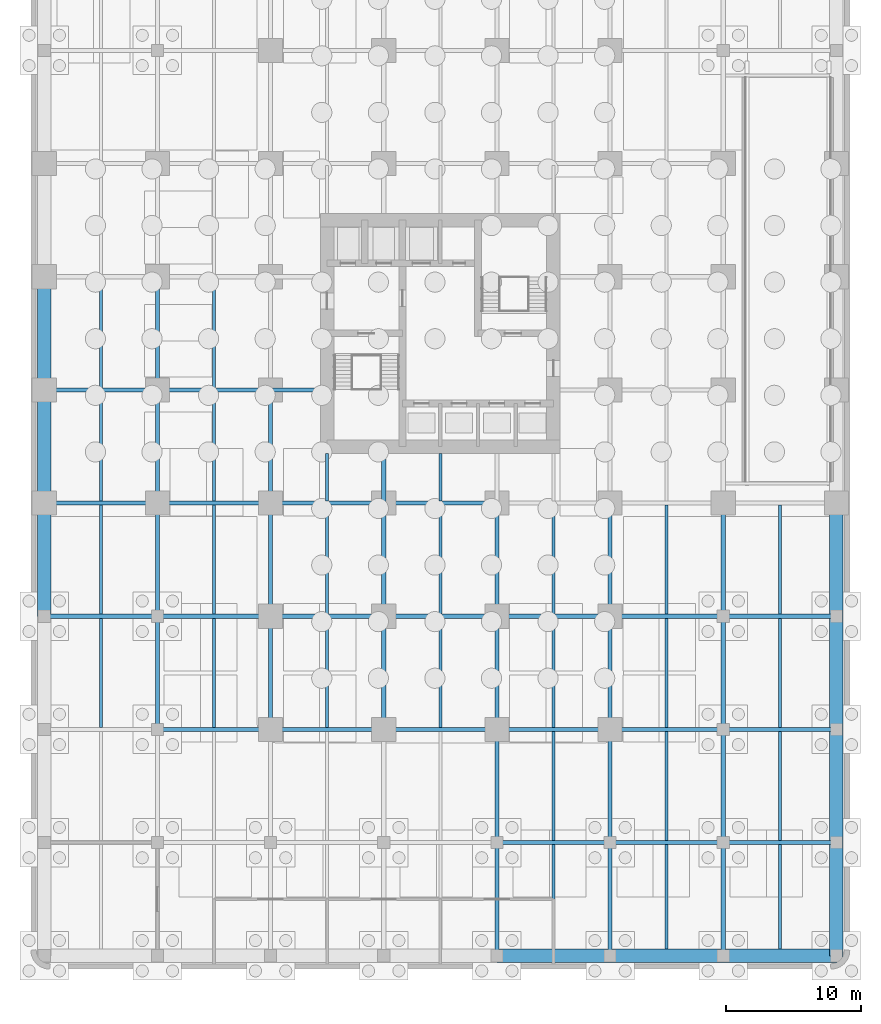
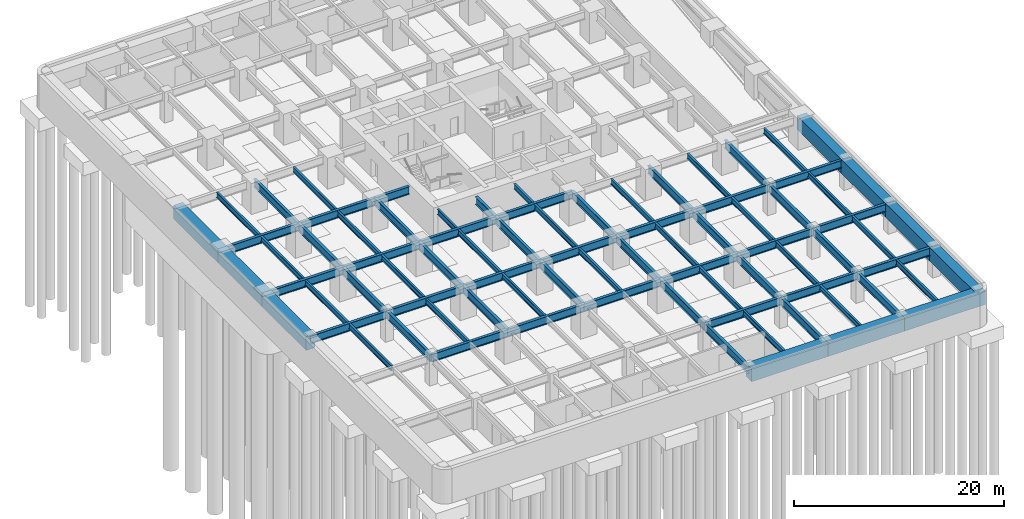
# One storey, part 3 of 11: 81 beams.
"""IFC4 building model written with IfcOpenShell, lengths in metres."""

from ifc_helpers import new_model, si_unit, direction, frame, origin, origin_2d, place, context, subcontext, project, spatial, rectangle, i_section, extrude, material, material_profile, profile_set, type_object, element, save


model = new_model("IFC4")

# Units and contexts
model_context = context("Model", 3, precision=1e-05, world=origin(), true_north=direction((0.0, 1.0)))
body_context = subcontext(model_context, "Body", "Model", "MODEL_VIEW")
ifc_project = project(units=[si_unit("LENGTHUNIT", "METRE"), si_unit("AREAUNIT", "SQUARE_METRE"), si_unit("VOLUMEUNIT", "CUBIC_METRE"), si_unit("PLANEANGLEUNIT", "RADIAN"), si_unit("MASSUNIT", "GRAM", prefix="KILO")], contexts=[model_context])

# Site, building, storey
site_placement = place(None, origin())
site = spatial("IfcSite", under=ifc_project, at=site_placement, CompositionType="ELEMENT")
building_placement = place(site_placement, origin())
building = spatial("IfcBuilding", under=site, at=building_placement, Name="Torre Alcanfor", CompositionType="ELEMENT")
storey_placement = place(building_placement, frame((0.0, 0.0, -7.199951171875)))
storey = spatial("IfcBuildingStorey", under=building, at=storey_placement, Name="B2", CompositionType="ELEMENT", Elevation=-7.199951171875)

# Beams
ifc_material_1 = material(Name="Steel ASTM A992 Grade 50", Category="steel")
ifc_material_profile_1 = material_profile(ifc_material_1, i_section(OverallWidth=0.3046875, OverallDepth=0.911865234375, WebThickness=0.015869140625, FlangeThickness=0.02392578125, at=origin_2d()), Name="W36x150")
ifc_profile_set_1 = profile_set([ifc_material_profile_1], Name="Steel ASTM A992 Grade 50")
beam_type_1 = type_object("IfcBeamType", Name="Girder W36x150", PredefinedType="BEAM", material=ifc_profile_set_1)
for number, where, z_axis, x_axis, name in (
    (1, (33.60009765625, -8.39990234375, 2.89404296875), (1.0, 0.0, 0.0), (0.0, 1.0, 0.0), "Beam 5B-6B under B1"),
    (2, (42.0, -8.39990234375, 2.89404296875), (1.0, 0.0, 0.0), (0.0, 1.0, 0.0), "Beam 6B-7B under B1"),
):
    element("IfcBeam", number, at=place(storey_placement, frame(where, z_axis=z_axis, x_axis=x_axis)), inside=storey, type_object=beam_type_1, Name=name, PredefinedType="BEAM", context=body_context, shape_type="SweptSolid", body=[
        extrude(i_section(OverallWidth=0.3046875, OverallDepth=0.911865234375, WebThickness=0.015869140625, FlangeThickness=0.02392578125, at=origin_2d()), origin(), (0.0, 0.0, 1.0), 8.39990234375),
    ])
for number, where, z_axis, x_axis, name in (
    (3, (50.39990234375, -8.39990234375, 2.89404296875), (1.0, 0.0, 0.0), (0.0, 1.0, 0.0), "Beam 7B-8B under B1"),
    (4, (8.39990234375, 0.0, 2.89404296875), (1.0, 0.0, 0.0), (0.0, 1.0, 0.0), "Beam 2C-3C under B1"),
):
    element("IfcBeam", number, at=place(storey_placement, frame(where, z_axis=z_axis, x_axis=x_axis)), inside=storey, type_object=beam_type_1, Name=name, PredefinedType="BEAM", context=body_context, shape_type="SweptSolid", body=[
        extrude(i_section(OverallWidth=0.3046875, OverallDepth=0.911865234375, WebThickness=0.015869140625, FlangeThickness=0.02392578125, at=origin_2d()), origin(), (0.0, 0.0, 1.0), 8.400146484375),
    ])
beam_1_placement = place(storey_placement, frame((16.800048828125, 0.0, 2.89404296875), z_axis=(1.0, 0.0, 0.0), x_axis=(0.0, 1.0, 0.0)))
element("IfcBeam", 5, at=beam_1_placement, inside=storey, type_object=beam_type_1, Name="Beam 3C-4C under B1", PredefinedType="BEAM", context=body_context, shape_type="SweptSolid", body=[
    extrude(i_section(OverallWidth=0.3046875, OverallDepth=0.911865234375, WebThickness=0.015869140625, FlangeThickness=0.02392578125, at=origin_2d()), origin(), (0.0, 0.0, 1.0), 8.39990234375),
])
beam_2_placement = place(storey_placement, frame((25.199951171875, 0.0, 2.89404296875), z_axis=(1.0, 0.0, 0.0), x_axis=(0.0, 1.0, 0.0)))
element("IfcBeam", 6, at=beam_2_placement, inside=storey, type_object=beam_type_1, Name="Beam 4C-5C under B1", PredefinedType="BEAM", context=body_context, shape_type="SweptSolid", body=[
    extrude(i_section(OverallWidth=0.3046875, OverallDepth=0.911865234375, WebThickness=0.015869140625, FlangeThickness=0.02392578125, at=origin_2d()), origin(), (0.0, 0.0, 1.0), 8.400146484375),
])
for number, where, z_axis, x_axis, name in (
    (7, (33.60009765625, 0.0, 2.89404296875), (1.0, 0.0, 0.0), (0.0, 1.0, 0.0), "Beam 5C-6C under B1"),
    (8, (42.0, 0.0, 2.89404296875), (1.0, 0.0, 0.0), (0.0, 1.0, 0.0), "Beam 6C-7C under B1"),
):
    element("IfcBeam", number, at=place(storey_placement, frame(where, z_axis=z_axis, x_axis=x_axis)), inside=storey, type_object=beam_type_1, Name=name, PredefinedType="BEAM", context=body_context, shape_type="SweptSolid", body=[
        extrude(i_section(OverallWidth=0.3046875, OverallDepth=0.911865234375, WebThickness=0.015869140625, FlangeThickness=0.02392578125, at=origin_2d()), origin(), (0.0, 0.0, 1.0), 8.39990234375),
    ])
beam_3_placement = place(storey_placement, frame((50.39990234375, 0.0, 2.89404296875), z_axis=(1.0, 0.0, 0.0), x_axis=(0.0, 1.0, 0.0)))
element("IfcBeam", 9, at=beam_3_placement, inside=storey, type_object=beam_type_1, Name="Beam 7C-8C under B1", PredefinedType="BEAM", context=body_context, shape_type="SweptSolid", body=[
    extrude(i_section(OverallWidth=0.3046875, OverallDepth=0.911865234375, WebThickness=0.015869140625, FlangeThickness=0.02392578125, at=origin_2d()), origin(), (0.0, 0.0, 1.0), 8.400146484375),
])
beam_4_placement = place(storey_placement, frame((0.0, 8.39990234375, 2.89404296875), z_axis=(1.0, 0.0, 0.0), x_axis=(0.0, 1.0, 0.0)))
element("IfcBeam", 10, at=beam_4_placement, inside=storey, type_object=beam_type_1, Name="Beam 1D-2D under B1", PredefinedType="BEAM", context=body_context, shape_type="SweptSolid", body=[
    extrude(i_section(OverallWidth=0.3046875, OverallDepth=0.911865234375, WebThickness=0.015869140625, FlangeThickness=0.02392578125, at=origin_2d()), origin(), (0.0, 0.0, 1.0), 8.39990234375),
])
beam_5_placement = place(storey_placement, frame((8.39990234375, 8.39990234375, 2.89404296875), z_axis=(1.0, 0.0, 0.0), x_axis=(0.0, 1.0, 0.0)))
element("IfcBeam", 11, at=beam_5_placement, inside=storey, type_object=beam_type_1, Name="Beam 2D-3D under B1", PredefinedType="BEAM", context=body_context, shape_type="SweptSolid", body=[
    extrude(i_section(OverallWidth=0.3046875, OverallDepth=0.911865234375, WebThickness=0.015869140625, FlangeThickness=0.02392578125, at=origin_2d()), origin(), (0.0, 0.0, 1.0), 8.400146484375),
])
beam_6_placement = place(storey_placement, frame((16.800048828125, 8.39990234375, 2.89404296875), z_axis=(1.0, 0.0, 0.0), x_axis=(0.0, 1.0, 0.0)))
element("IfcBeam", 12, at=beam_6_placement, inside=storey, type_object=beam_type_1, Name="Beam 3D-4D under B1", PredefinedType="BEAM", context=body_context, shape_type="SweptSolid", body=[
    extrude(i_section(OverallWidth=0.3046875, OverallDepth=0.911865234375, WebThickness=0.015869140625, FlangeThickness=0.02392578125, at=origin_2d()), origin(), (0.0, 0.0, 1.0), 8.39990234375),
])
beam_7_placement = place(storey_placement, frame((25.199951171875, 8.39990234375, 2.89404296875), z_axis=(1.0, 0.0, 0.0), x_axis=(0.0, 1.0, 0.0)))
element("IfcBeam", 13, at=beam_7_placement, inside=storey, type_object=beam_type_1, Name="Beam 4D-5D under B1", PredefinedType="BEAM", context=body_context, shape_type="SweptSolid", body=[
    extrude(i_section(OverallWidth=0.3046875, OverallDepth=0.911865234375, WebThickness=0.015869140625, FlangeThickness=0.02392578125, at=origin_2d()), origin(), (0.0, 0.0, 1.0), 8.400146484375),
])
for number, where, z_axis, x_axis, name in (
    (14, (33.60009765625, 8.39990234375, 2.89404296875), (1.0, 0.0, 0.0), (0.0, 1.0, 0.0), "Beam 5D-6D under B1"),
    (15, (42.0, 8.39990234375, 2.89404296875), (1.0, 0.0, 0.0), (0.0, 1.0, 0.0), "Beam 6D-7D under B1"),
):
    element("IfcBeam", number, at=place(storey_placement, frame(where, z_axis=z_axis, x_axis=x_axis)), inside=storey, type_object=beam_type_1, Name=name, PredefinedType="BEAM", context=body_context, shape_type="SweptSolid", body=[
        extrude(i_section(OverallWidth=0.3046875, OverallDepth=0.911865234375, WebThickness=0.015869140625, FlangeThickness=0.02392578125, at=origin_2d()), origin(), (0.0, 0.0, 1.0), 8.39990234375),
    ])
beam_8_placement = place(storey_placement, frame((50.39990234375, 8.39990234375, 2.89404296875), z_axis=(1.0, 0.0, 0.0), x_axis=(0.0, 1.0, 0.0)))
element("IfcBeam", 16, at=beam_8_placement, inside=storey, type_object=beam_type_1, Name="Beam 7D-8D under B1", PredefinedType="BEAM", context=body_context, shape_type="SweptSolid", body=[
    extrude(i_section(OverallWidth=0.3046875, OverallDepth=0.911865234375, WebThickness=0.015869140625, FlangeThickness=0.02392578125, at=origin_2d()), origin(), (0.0, 0.0, 1.0), 8.400146484375),
])
beam_9_placement = place(storey_placement, frame((0.0, 16.800048828125, 2.89404296875), z_axis=(1.0, 0.0, 0.0), x_axis=(0.0, 1.0, 0.0)))
element("IfcBeam", 17, at=beam_9_placement, inside=storey, type_object=beam_type_1, Name="Beam 1E-2E under B1", PredefinedType="BEAM", context=body_context, shape_type="SweptSolid", body=[
    extrude(i_section(OverallWidth=0.3046875, OverallDepth=0.911865234375, WebThickness=0.015869140625, FlangeThickness=0.02392578125, at=origin_2d()), origin(), (0.0, 0.0, 1.0), 8.39990234375),
])
beam_10_placement = place(storey_placement, frame((8.39990234375, 16.800048828125, 2.89404296875), z_axis=(1.0, 0.0, 0.0), x_axis=(0.0, 1.0, 0.0)))
element("IfcBeam", 18, at=beam_10_placement, inside=storey, type_object=beam_type_1, Name="Beam 2E-3E under B1", PredefinedType="BEAM", context=body_context, shape_type="SweptSolid", body=[
    extrude(i_section(OverallWidth=0.3046875, OverallDepth=0.911865234375, WebThickness=0.015869140625, FlangeThickness=0.02392578125, at=origin_2d()), origin(), (0.0, 0.0, 1.0), 8.400146484375),
])
beam_11_placement = place(storey_placement, frame((16.800048828125, 16.800048828125, 2.89404296875), z_axis=(1.0, 0.0, 0.0), x_axis=(0.0, 1.0, 0.0)))
element("IfcBeam", 19, at=beam_11_placement, inside=storey, type_object=beam_type_1, Name="Beam 3E-4E under B1", PredefinedType="BEAM", context=body_context, shape_type="SweptSolid", body=[
    extrude(i_section(OverallWidth=0.3046875, OverallDepth=0.911865234375, WebThickness=0.015869140625, FlangeThickness=0.02392578125, at=origin_2d()), origin(), (0.0, 0.0, 1.0), 8.39990234375),
])
beam_12_placement = place(storey_placement, frame((25.199951171875, 16.800048828125, 2.89404296875), z_axis=(1.0, 0.0, 0.0), x_axis=(0.0, 1.0, 0.0)))
element("IfcBeam", 20, at=beam_12_placement, inside=storey, type_object=beam_type_1, Name="Beam 4E-5E under B1", PredefinedType="BEAM", context=body_context, shape_type="SweptSolid", body=[
    extrude(i_section(OverallWidth=0.3046875, OverallDepth=0.911865234375, WebThickness=0.015869140625, FlangeThickness=0.02392578125, at=origin_2d()), origin(), (0.0, 0.0, 1.0), 8.400146484375),
])
beam_13_placement = place(storey_placement, frame((0.0, 25.199951171875, 2.89404296875), z_axis=(1.0, 0.0, 0.0), x_axis=(0.0, 1.0, 0.0)))
element("IfcBeam", 21, at=beam_13_placement, inside=storey, type_object=beam_type_1, Name="Beam 1F-2F under B1", PredefinedType="BEAM", context=body_context, shape_type="SweptSolid", body=[
    extrude(i_section(OverallWidth=0.3046875, OverallDepth=0.911865234375, WebThickness=0.015869140625, FlangeThickness=0.02392578125, at=origin_2d()), origin(), (0.0, 0.0, 1.0), 8.39990234375),
])
beam_14_placement = place(storey_placement, frame((8.39990234375, 25.199951171875, 2.89404296875), z_axis=(1.0, 0.0, 0.0), x_axis=(0.0, 1.0, 0.0)))
element("IfcBeam", 22, at=beam_14_placement, inside=storey, type_object=beam_type_1, Name="Beam 2F-3F under B1", PredefinedType="BEAM", context=body_context, shape_type="SweptSolid", body=[
    extrude(i_section(OverallWidth=0.3046875, OverallDepth=0.911865234375, WebThickness=0.015869140625, FlangeThickness=0.02392578125, at=origin_2d()), origin(), (0.0, 0.0, 1.0), 8.400146484375),
])
beam_15_placement = place(storey_placement, frame((8.39990234375, 0.0, 2.89404296875), z_axis=(0.0, 1.0, 0.0), x_axis=(-1.0, 0.0, 0.0)))
element("IfcBeam", 23, at=beam_15_placement, inside=storey, type_object=beam_type_1, Name="Beam 2C-2D under B1", PredefinedType="BEAM", context=body_context, shape_type="SweptSolid", body=[
    extrude(i_section(OverallWidth=0.3046875, OverallDepth=0.911865234375, WebThickness=0.015869140625, FlangeThickness=0.02392578125, at=origin_2d()), origin(), (0.0, 0.0, 1.0), 8.39990234375),
])
beam_16_placement = place(storey_placement, frame((8.39990234375, 8.39990234375, 2.89404296875), z_axis=(0.0, 1.0, 0.0), x_axis=(-1.0, 0.0, 0.0)))
element("IfcBeam", 24, at=beam_16_placement, inside=storey, type_object=beam_type_1, Name="Beam 2D-2E under B1", PredefinedType="BEAM", context=body_context, shape_type="SweptSolid", body=[
    extrude(i_section(OverallWidth=0.3046875, OverallDepth=0.911865234375, WebThickness=0.015869140625, FlangeThickness=0.02392578125, at=origin_2d()), origin(), (0.0, 0.0, 1.0), 8.400146484375),
])
beam_17_placement = place(storey_placement, frame((8.39990234375, 16.800048828125, 2.89404296875), z_axis=(0.0, 1.0, 0.0), x_axis=(-1.0, 0.0, 0.0)))
element("IfcBeam", 25, at=beam_17_placement, inside=storey, type_object=beam_type_1, Name="Beam 2E-2F under B1", PredefinedType="BEAM", context=body_context, shape_type="SweptSolid", body=[
    extrude(i_section(OverallWidth=0.3046875, OverallDepth=0.911865234375, WebThickness=0.015869140625, FlangeThickness=0.02392578125, at=origin_2d()), origin(), (0.0, 0.0, 1.0), 8.39990234375),
])
beam_18_placement = place(storey_placement, frame((8.39990234375, 25.199951171875, 2.89404296875), z_axis=(0.0, 1.0, 0.0), x_axis=(-1.0, 0.0, 0.0)))
element("IfcBeam", 26, at=beam_18_placement, inside=storey, type_object=beam_type_1, Name="Beam 2F-2G under B1", PredefinedType="BEAM", context=body_context, shape_type="SweptSolid", body=[
    extrude(i_section(OverallWidth=0.3046875, OverallDepth=0.911865234375, WebThickness=0.015869140625, FlangeThickness=0.02392578125, at=origin_2d()), origin(), (0.0, 0.0, 1.0), 8.400146484375),
])
beam_19_placement = place(storey_placement, frame((16.800048828125, 0.0, 2.89404296875), z_axis=(0.0, 1.0, 0.0), x_axis=(-1.0, 0.0, 0.0)))
element("IfcBeam", 27, at=beam_19_placement, inside=storey, type_object=beam_type_1, Name="Beam 3C-3D under B1", PredefinedType="BEAM", context=body_context, shape_type="SweptSolid", body=[
    extrude(i_section(OverallWidth=0.3046875, OverallDepth=0.911865234375, WebThickness=0.015869140625, FlangeThickness=0.02392578125, at=origin_2d()), origin(), (0.0, 0.0, 1.0), 8.39990234375),
])
beam_20_placement = place(storey_placement, frame((16.800048828125, 8.39990234375, 2.89404296875), z_axis=(0.0, 1.0, 0.0), x_axis=(-1.0, 0.0, 0.0)))
element("IfcBeam", 28, at=beam_20_placement, inside=storey, type_object=beam_type_1, Name="Beam 3D-3E under B1", PredefinedType="BEAM", context=body_context, shape_type="SweptSolid", body=[
    extrude(i_section(OverallWidth=0.3046875, OverallDepth=0.911865234375, WebThickness=0.015869140625, FlangeThickness=0.02392578125, at=origin_2d()), origin(), (0.0, 0.0, 1.0), 8.400146484375),
])
for number, where, z_axis, x_axis, name in (
    (29, (16.800048828125, 16.800048828125, 2.89404296875), (0.0, 1.0, 0.0), (-1.0, 0.0, 0.0), "Beam 3E-3F under B1"),
    (30, (25.199951171875, 0.0, 2.89404296875), (0.0, 1.0, 0.0), (-1.0, 0.0, 0.0), "Beam 4C-4D under B1"),
):
    element("IfcBeam", number, at=place(storey_placement, frame(where, z_axis=z_axis, x_axis=x_axis)), inside=storey, type_object=beam_type_1, Name=name, PredefinedType="BEAM", context=body_context, shape_type="SweptSolid", body=[
        extrude(i_section(OverallWidth=0.3046875, OverallDepth=0.911865234375, WebThickness=0.015869140625, FlangeThickness=0.02392578125, at=origin_2d()), origin(), (0.0, 0.0, 1.0), 8.39990234375),
    ])
for number, where, z_axis, x_axis, name in (
    (31, (25.199951171875, 8.39990234375, 2.89404296875), (0.0, 1.0, 0.0), (-1.0, 0.0, 0.0), "Beam 4D-4E under B1"),
    (32, (33.60009765625, -16.800048828125, 2.89404296875), (0.0, 1.0, 0.0), (-1.0, 0.0, 0.0), "Beam 5A-5B under B1"),
):
    element("IfcBeam", number, at=place(storey_placement, frame(where, z_axis=z_axis, x_axis=x_axis)), inside=storey, type_object=beam_type_1, Name=name, PredefinedType="BEAM", context=body_context, shape_type="SweptSolid", body=[
        extrude(i_section(OverallWidth=0.3046875, OverallDepth=0.911865234375, WebThickness=0.015869140625, FlangeThickness=0.02392578125, at=origin_2d()), origin(), (0.0, 0.0, 1.0), 8.400146484375),
    ])
for number, where, z_axis, x_axis, name in (
    (33, (33.60009765625, -8.39990234375, 2.89404296875), (0.0, 1.0, 0.0), (-1.0, 0.0, 0.0), "Beam 5B-5C under B1"),
    (34, (33.60009765625, 0.0, 2.89404296875), (0.0, 1.0, 0.0), (-1.0, 0.0, 0.0), "Beam 5C-5D under B1"),
):
    element("IfcBeam", number, at=place(storey_placement, frame(where, z_axis=z_axis, x_axis=x_axis)), inside=storey, type_object=beam_type_1, Name=name, PredefinedType="BEAM", context=body_context, shape_type="SweptSolid", body=[
        extrude(i_section(OverallWidth=0.3046875, OverallDepth=0.911865234375, WebThickness=0.015869140625, FlangeThickness=0.02392578125, at=origin_2d()), origin(), (0.0, 0.0, 1.0), 8.39990234375),
    ])
for number, where, z_axis, x_axis, name in (
    (35, (33.60009765625, 8.39990234375, 2.89404296875), (0.0, 1.0, 0.0), (-1.0, 0.0, 0.0), "Beam 5D-5E under B1"),
    (36, (42.0, -16.800048828125, 2.89404296875), (0.0, 1.0, 0.0), (-1.0, 0.0, 0.0), "Beam 6A-6B under B1"),
):
    element("IfcBeam", number, at=place(storey_placement, frame(where, z_axis=z_axis, x_axis=x_axis)), inside=storey, type_object=beam_type_1, Name=name, PredefinedType="BEAM", context=body_context, shape_type="SweptSolid", body=[
        extrude(i_section(OverallWidth=0.3046875, OverallDepth=0.911865234375, WebThickness=0.015869140625, FlangeThickness=0.02392578125, at=origin_2d()), origin(), (0.0, 0.0, 1.0), 8.400146484375),
    ])
for number, where, z_axis, x_axis, name in (
    (37, (42.0, -8.39990234375, 2.89404296875), (0.0, 1.0, 0.0), (-1.0, 0.0, 0.0), "Beam 6B-6C under B1"),
    (38, (42.0, 0.0, 2.89404296875), (0.0, 1.0, 0.0), (-1.0, 0.0, 0.0), "Beam 6C-6D under B1"),
):
    element("IfcBeam", number, at=place(storey_placement, frame(where, z_axis=z_axis, x_axis=x_axis)), inside=storey, type_object=beam_type_1, Name=name, PredefinedType="BEAM", context=body_context, shape_type="SweptSolid", body=[
        extrude(i_section(OverallWidth=0.3046875, OverallDepth=0.911865234375, WebThickness=0.015869140625, FlangeThickness=0.02392578125, at=origin_2d()), origin(), (0.0, 0.0, 1.0), 8.39990234375),
    ])
for number, where, z_axis, x_axis, name in (
    (39, (42.0, 8.39990234375, 2.89404296875), (0.0, 1.0, 0.0), (-1.0, 0.0, 0.0), "Beam 6D-6E under B1"),
    (40, (50.39990234375, -16.800048828125, 2.89404296875), (0.0, 1.0, 0.0), (-1.0, 0.0, 0.0), "Beam 7A-7B under B1"),
):
    element("IfcBeam", number, at=place(storey_placement, frame(where, z_axis=z_axis, x_axis=x_axis)), inside=storey, type_object=beam_type_1, Name=name, PredefinedType="BEAM", context=body_context, shape_type="SweptSolid", body=[
        extrude(i_section(OverallWidth=0.3046875, OverallDepth=0.911865234375, WebThickness=0.015869140625, FlangeThickness=0.02392578125, at=origin_2d()), origin(), (0.0, 0.0, 1.0), 8.400146484375),
    ])
for number, where, z_axis, x_axis, name in (
    (41, (50.39990234375, -8.39990234375, 2.89404296875), (0.0, 1.0, 0.0), (-1.0, 0.0, 0.0), "Beam 7B-7C under B1"),
    (42, (50.39990234375, 0.0, 2.89404296875), (0.0, 1.0, 0.0), (-1.0, 0.0, 0.0), "Beam 7C-7D under B1"),
):
    element("IfcBeam", number, at=place(storey_placement, frame(where, z_axis=z_axis, x_axis=x_axis)), inside=storey, type_object=beam_type_1, Name=name, PredefinedType="BEAM", context=body_context, shape_type="SweptSolid", body=[
        extrude(i_section(OverallWidth=0.3046875, OverallDepth=0.911865234375, WebThickness=0.015869140625, FlangeThickness=0.02392578125, at=origin_2d()), origin(), (0.0, 0.0, 1.0), 8.39990234375),
    ])
beam_21_placement = place(storey_placement, frame((50.39990234375, 8.39990234375, 2.89404296875), z_axis=(0.0, 1.0, 0.0), x_axis=(-1.0, 0.0, 0.0)))
element("IfcBeam", 43, at=beam_21_placement, inside=storey, type_object=beam_type_1, Name="Beam 7D-7E under B1", PredefinedType="BEAM", context=body_context, shape_type="SweptSolid", body=[
    extrude(i_section(OverallWidth=0.3046875, OverallDepth=0.911865234375, WebThickness=0.015869140625, FlangeThickness=0.02392578125, at=origin_2d()), origin(), (0.0, 0.0, 1.0), 8.400146484375),
])
ifc_material_2 = material(Name="Steel ASTM A992 Grade 50", Category="steel")
ifc_material_profile_2 = material_profile(ifc_material_2, i_section(OverallWidth=0.3046875, OverallDepth=0.911865234375, WebThickness=0.015869140625, FlangeThickness=0.02392578125, at=origin_2d()), Name="W36x150")
ifc_profile_set_2 = profile_set([ifc_material_profile_2], Name="Steel ASTM A992 Grade 50")
beam_type_2 = type_object("IfcBeamType", Name="Girder, part bay W36x150", PredefinedType="BEAM", material=ifc_profile_set_2)
for number, where, z_axis, x_axis, name in (
    (44, (25.199951171875, 16.800048828125, 2.89404296875), (0.0, 1.0, 0.0), (-1.0, 0.0, 0.0), "Beam 4E-420_5 under B1"),
    (45, (16.800048828125, 25.199951171875, 2.89404296875), (1.0, 0.0, 0.0), (0.0, 1.0, 0.0), "Beam 3F-20_5F under B1"),
):
    element("IfcBeam", number, at=place(storey_placement, frame(where, z_axis=z_axis, x_axis=x_axis)), inside=storey, type_object=beam_type_2, Name=name, PredefinedType="BEAM", context=body_context, shape_type="SweptSolid", body=[
        extrude(i_section(OverallWidth=0.3046875, OverallDepth=0.911865234375, WebThickness=0.015869140625, FlangeThickness=0.02392578125, at=origin_2d()), origin(), (0.0, 0.0, 1.0), 3.699951171875),
    ])
ifc_material_3 = material(Name="Concrete f'c 70 MPa", Category="concrete")
ifc_material_profile_3 = material_profile(ifc_material_3, rectangle(XDim=1.0, YDim=1.60009765625, at=origin_2d()), Name="1000x1600")
ifc_profile_set_3 = profile_set([ifc_material_profile_3], Name="Concrete f'c 70 MPa")
beam_type_3 = type_object("IfcBeamType", Name="RC perimeter beam 1000x1600", PredefinedType="BEAM", material=ifc_profile_set_3)
for number, where, z_axis, x_axis, name in (
    (46, (33.60009765625, -16.800048828125, 2.550048828125), (1.0, 0.0, 0.0), (0.0, 1.0, 0.0), "Beam 5A-6A under B1"),
    (47, (42.0, -16.800048828125, 2.550048828125), (1.0, 0.0, 0.0), (0.0, 1.0, 0.0), "Beam 6A-7A under B1"),
):
    element("IfcBeam", number, at=place(storey_placement, frame(where, z_axis=z_axis, x_axis=x_axis)), inside=storey, type_object=beam_type_3, Name=name, PredefinedType="BEAM", context=body_context, shape_type="SweptSolid", body=[
        extrude(rectangle(XDim=1.0, YDim=1.60009765625, at=origin_2d()), origin(), (0.0, 0.0, 1.0), 8.39990234375),
    ])
beam_22_placement = place(storey_placement, frame((50.39990234375, -16.800048828125, 2.550048828125), z_axis=(1.0, 0.0, 0.0), x_axis=(0.0, 1.0, 0.0)))
element("IfcBeam", 48, at=beam_22_placement, inside=storey, type_object=beam_type_3, Name="Beam 7A-8A under B1", PredefinedType="BEAM", context=body_context, shape_type="SweptSolid", body=[
    extrude(rectangle(XDim=1.0, YDim=1.60009765625, at=origin_2d()), origin(), (0.0, 0.0, 1.0), 8.900146484375),
])
beam_23_placement = place(storey_placement, frame((0.0, 8.39990234375, 2.550048828125), z_axis=(0.0, 1.0, 0.0), x_axis=(-1.0, 0.0, 0.0)))
element("IfcBeam", 49, at=beam_23_placement, inside=storey, type_object=beam_type_3, Name="Beam 1D-1E under B1", PredefinedType="BEAM", context=body_context, shape_type="SweptSolid", body=[
    extrude(rectangle(XDim=1.0, YDim=1.60009765625, at=origin_2d()), origin(), (0.0, 0.0, 1.0), 8.400146484375),
])
beam_24_placement = place(storey_placement, frame((0.0, 16.800048828125, 2.550048828125), z_axis=(0.0, 1.0, 0.0), x_axis=(-1.0, 0.0, 0.0)))
element("IfcBeam", 50, at=beam_24_placement, inside=storey, type_object=beam_type_3, Name="Beam 1E-1F under B1", PredefinedType="BEAM", context=body_context, shape_type="SweptSolid", body=[
    extrude(rectangle(XDim=1.0, YDim=1.60009765625, at=origin_2d()), origin(), (0.0, 0.0, 1.0), 8.39990234375),
])
for number, where, z_axis, x_axis, name in (
    (51, (0.0, 25.199951171875, 2.550048828125), (0.0, 1.0, 0.0), (-1.0, 0.0, 0.0), "Beam 1F-1G under B1"),
    (52, (58.800048828125, -16.800048828125, 2.550048828125), (0.0, 1.0, 0.0), (-1.0, 0.0, 0.0), "Beam 8A-8B under B1"),
):
    element("IfcBeam", number, at=place(storey_placement, frame(where, z_axis=z_axis, x_axis=x_axis)), inside=storey, type_object=beam_type_3, Name=name, PredefinedType="BEAM", context=body_context, shape_type="SweptSolid", body=[
        extrude(rectangle(XDim=1.0, YDim=1.60009765625, at=origin_2d()), origin(), (0.0, 0.0, 1.0), 8.400146484375),
    ])
for number, where, z_axis, x_axis, name in (
    (53, (58.800048828125, -8.39990234375, 2.550048828125), (0.0, 1.0, 0.0), (-1.0, 0.0, 0.0), "Beam 8B-8C under B1"),
    (54, (58.800048828125, 0.0, 2.550048828125), (0.0, 1.0, 0.0), (-1.0, 0.0, 0.0), "Beam 8C-8D under B1"),
):
    element("IfcBeam", number, at=place(storey_placement, frame(where, z_axis=z_axis, x_axis=x_axis)), inside=storey, type_object=beam_type_3, Name=name, PredefinedType="BEAM", context=body_context, shape_type="SweptSolid", body=[
        extrude(rectangle(XDim=1.0, YDim=1.60009765625, at=origin_2d()), origin(), (0.0, 0.0, 1.0), 8.39990234375),
    ])
beam_25_placement = place(storey_placement, frame((58.800048828125, 8.39990234375, 2.550048828125), z_axis=(0.0, 1.0, 0.0), x_axis=(-1.0, 0.0, 0.0)))
element("IfcBeam", 55, at=beam_25_placement, inside=storey, type_object=beam_type_3, Name="Beam 8D-8E under B1", PredefinedType="BEAM", context=body_context, shape_type="SweptSolid", body=[
    extrude(rectangle(XDim=1.0, YDim=1.60009765625, at=origin_2d()), origin(), (0.0, 0.0, 1.0), 8.400146484375),
])
ifc_material_4 = material(Name="Steel ASTM A992 Grade 50", Category="steel")
ifc_material_profile_4 = material_profile(ifc_material_4, i_section(OverallWidth=0.22900390625, OverallDepth=0.612060546875, WebThickness=0.011962890625, FlangeThickness=0.01953125, at=origin_2d()), Name="W24x84")
ifc_profile_set_4 = profile_set([ifc_material_profile_4], Name="Steel ASTM A992 Grade 50")
beam_type_4 = type_object("IfcBeamType", Name="Secondary beam W24x84", PredefinedType="BEAM", material=ifc_profile_set_4)
for number, where, z_axis, x_axis, name in (
    (56, (4.199951171875, 0.152099609375, 3.0439453125), (0.0, 1.0, 0.0), (-1.0, 0.0, 0.0), "Beam 4_2C-4_2D under B1"),
    (57, (4.199951171875, 8.552001953125, 3.0439453125), (0.0, 1.0, 0.0), (-1.0, 0.0, 0.0), "Beam 4_2D-4_2E under B1"),
):
    element("IfcBeam", number, at=place(storey_placement, frame(where, z_axis=z_axis, x_axis=x_axis)), inside=storey, type_object=beam_type_4, Name=name, PredefinedType="BEAM", context=body_context, shape_type="SweptSolid", body=[
        extrude(i_section(OverallWidth=0.22900390625, OverallDepth=0.612060546875, WebThickness=0.011962890625, FlangeThickness=0.01953125, at=origin_2d()), origin(), (0.0, 0.0, 1.0), 8.095947265625),
    ])
beam_26_placement = place(storey_placement, frame((4.199951171875, 16.951904296875, 3.0439453125), z_axis=(0.0, 1.0, 0.0), x_axis=(-1.0, 0.0, 0.0)))
element("IfcBeam", 58, at=beam_26_placement, inside=storey, type_object=beam_type_4, Name="Beam 4_2E-4_2F under B1", PredefinedType="BEAM", context=body_context, shape_type="SweptSolid", body=[
    extrude(i_section(OverallWidth=0.22900390625, OverallDepth=0.612060546875, WebThickness=0.011962890625, FlangeThickness=0.01953125, at=origin_2d()), origin(), (0.0, 0.0, 1.0), 8.09619140625),
])
for number, where, z_axis, x_axis, name in (
    (59, (4.199951171875, 25.35205078125, 3.0439453125), (0.0, 1.0, 0.0), (-1.0, 0.0, 0.0), "Beam 4_2F-4_2G under B1"),
    (60, (12.60009765625, 0.152099609375, 3.0439453125), (0.0, 1.0, 0.0), (-1.0, 0.0, 0.0), "Beam 12_6C-12_6D under B1"),
    (61, (12.60009765625, 8.552001953125, 3.0439453125), (0.0, 1.0, 0.0), (-1.0, 0.0, 0.0), "Beam 12_6D-12_6E under B1"),
):
    element("IfcBeam", number, at=place(storey_placement, frame(where, z_axis=z_axis, x_axis=x_axis)), inside=storey, type_object=beam_type_4, Name=name, PredefinedType="BEAM", context=body_context, shape_type="SweptSolid", body=[
        extrude(i_section(OverallWidth=0.22900390625, OverallDepth=0.612060546875, WebThickness=0.011962890625, FlangeThickness=0.01953125, at=origin_2d()), origin(), (0.0, 0.0, 1.0), 8.095947265625),
    ])
beam_27_placement = place(storey_placement, frame((12.60009765625, 16.951904296875, 3.0439453125), z_axis=(0.0, 1.0, 0.0), x_axis=(-1.0, 0.0, 0.0)))
element("IfcBeam", 62, at=beam_27_placement, inside=storey, type_object=beam_type_4, Name="Beam 12_6E-12_6F under B1", PredefinedType="BEAM", context=body_context, shape_type="SweptSolid", body=[
    extrude(i_section(OverallWidth=0.22900390625, OverallDepth=0.612060546875, WebThickness=0.011962890625, FlangeThickness=0.01953125, at=origin_2d()), origin(), (0.0, 0.0, 1.0), 8.09619140625),
])
for number, where, z_axis, x_axis, name in (
    (63, (12.60009765625, 25.35205078125, 3.0439453125), (0.0, 1.0, 0.0), (-1.0, 0.0, 0.0), "Beam 12_6F-12_6G under B1"),
    (64, (21.0, 0.152099609375, 3.0439453125), (0.0, 1.0, 0.0), (-1.0, 0.0, 0.0), "Beam 21C-21D under B1"),
    (65, (21.0, 8.552001953125, 3.0439453125), (0.0, 1.0, 0.0), (-1.0, 0.0, 0.0), "Beam 21D-21E under B1"),
    (66, (29.39990234375, 0.152099609375, 3.0439453125), (0.0, 1.0, 0.0), (-1.0, 0.0, 0.0), "Beam 29_4C-29_4D under B1"),
    (67, (29.39990234375, 8.552001953125, 3.0439453125), (0.0, 1.0, 0.0), (-1.0, 0.0, 0.0), "Beam 29_4D-29_4E under B1"),
):
    element("IfcBeam", number, at=place(storey_placement, frame(where, z_axis=z_axis, x_axis=x_axis)), inside=storey, type_object=beam_type_4, Name=name, PredefinedType="BEAM", context=body_context, shape_type="SweptSolid", body=[
        extrude(i_section(OverallWidth=0.22900390625, OverallDepth=0.612060546875, WebThickness=0.011962890625, FlangeThickness=0.01953125, at=origin_2d()), origin(), (0.0, 0.0, 1.0), 8.095947265625),
    ])
beam_28_placement = place(storey_placement, frame((37.800048828125, -16.300048828125, 3.0439453125), z_axis=(0.0, 1.0, 0.0), x_axis=(-1.0, 0.0, 0.0)))
element("IfcBeam", 68, at=beam_28_placement, inside=storey, type_object=beam_type_4, Name="Beam 37_8A-37_8B under B1", PredefinedType="BEAM", context=body_context, shape_type="SweptSolid", body=[
    extrude(i_section(OverallWidth=0.22900390625, OverallDepth=0.612060546875, WebThickness=0.011962890625, FlangeThickness=0.01953125, at=origin_2d()), origin(), (0.0, 0.0, 1.0), 7.748046875),
])
for number, where, z_axis, x_axis, name in (
    (69, (37.800048828125, -8.248046875, 3.0439453125), (0.0, 1.0, 0.0), (-1.0, 0.0, 0.0), "Beam 37_8B-37_8C under B1"),
    (70, (37.800048828125, 0.152099609375, 3.0439453125), (0.0, 1.0, 0.0), (-1.0, 0.0, 0.0), "Beam 37_8C-37_8D under B1"),
    (71, (37.800048828125, 8.552001953125, 3.0439453125), (0.0, 1.0, 0.0), (-1.0, 0.0, 0.0), "Beam 37_8D-37_8E under B1"),
):
    element("IfcBeam", number, at=place(storey_placement, frame(where, z_axis=z_axis, x_axis=x_axis)), inside=storey, type_object=beam_type_4, Name=name, PredefinedType="BEAM", context=body_context, shape_type="SweptSolid", body=[
        extrude(i_section(OverallWidth=0.22900390625, OverallDepth=0.612060546875, WebThickness=0.011962890625, FlangeThickness=0.01953125, at=origin_2d()), origin(), (0.0, 0.0, 1.0), 8.095947265625),
    ])
beam_29_placement = place(storey_placement, frame((46.199951171875, -16.300048828125, 3.0439453125), z_axis=(0.0, 1.0, 0.0), x_axis=(-1.0, 0.0, 0.0)))
element("IfcBeam", 72, at=beam_29_placement, inside=storey, type_object=beam_type_4, Name="Beam 46_2A-46_2B under B1", PredefinedType="BEAM", context=body_context, shape_type="SweptSolid", body=[
    extrude(i_section(OverallWidth=0.22900390625, OverallDepth=0.612060546875, WebThickness=0.011962890625, FlangeThickness=0.01953125, at=origin_2d()), origin(), (0.0, 0.0, 1.0), 7.748046875),
])
for number, where, z_axis, x_axis, name in (
    (73, (46.199951171875, -8.248046875, 3.0439453125), (0.0, 1.0, 0.0), (-1.0, 0.0, 0.0), "Beam 46_2B-46_2C under B1"),
    (74, (46.199951171875, 0.152099609375, 3.0439453125), (0.0, 1.0, 0.0), (-1.0, 0.0, 0.0), "Beam 46_2C-46_2D under B1"),
    (75, (46.199951171875, 8.552001953125, 3.0439453125), (0.0, 1.0, 0.0), (-1.0, 0.0, 0.0), "Beam 46_2D-46_2E under B1"),
):
    element("IfcBeam", number, at=place(storey_placement, frame(where, z_axis=z_axis, x_axis=x_axis)), inside=storey, type_object=beam_type_4, Name=name, PredefinedType="BEAM", context=body_context, shape_type="SweptSolid", body=[
        extrude(i_section(OverallWidth=0.22900390625, OverallDepth=0.612060546875, WebThickness=0.011962890625, FlangeThickness=0.01953125, at=origin_2d()), origin(), (0.0, 0.0, 1.0), 8.095947265625),
    ])
beam_30_placement = place(storey_placement, frame((54.60009765625, -16.300048828125, 3.0439453125), z_axis=(0.0, 1.0, 0.0), x_axis=(-1.0, 0.0, 0.0)))
element("IfcBeam", 76, at=beam_30_placement, inside=storey, type_object=beam_type_4, Name="Beam 54_6A-54_6B under B1", PredefinedType="BEAM", context=body_context, shape_type="SweptSolid", body=[
    extrude(i_section(OverallWidth=0.22900390625, OverallDepth=0.612060546875, WebThickness=0.011962890625, FlangeThickness=0.01953125, at=origin_2d()), origin(), (0.0, 0.0, 1.0), 7.748046875),
])
for number, where, z_axis, x_axis, name in (
    (77, (54.60009765625, -8.248046875, 3.0439453125), (0.0, 1.0, 0.0), (-1.0, 0.0, 0.0), "Beam 54_6B-54_6C under B1"),
    (78, (54.60009765625, 0.152099609375, 3.0439453125), (0.0, 1.0, 0.0), (-1.0, 0.0, 0.0), "Beam 54_6C-54_6D under B1"),
    (79, (54.60009765625, 8.552001953125, 3.0439453125), (0.0, 1.0, 0.0), (-1.0, 0.0, 0.0), "Beam 54_6D-54_6E under B1"),
):
    element("IfcBeam", number, at=place(storey_placement, frame(where, z_axis=z_axis, x_axis=x_axis)), inside=storey, type_object=beam_type_4, Name=name, PredefinedType="BEAM", context=body_context, shape_type="SweptSolid", body=[
        extrude(i_section(OverallWidth=0.22900390625, OverallDepth=0.612060546875, WebThickness=0.011962890625, FlangeThickness=0.01953125, at=origin_2d()), origin(), (0.0, 0.0, 1.0), 8.095947265625),
    ])
ifc_material_5 = material(Name="Steel ASTM A992 Grade 50", Category="steel")
ifc_material_profile_5 = material_profile(ifc_material_5, i_section(OverallWidth=0.22900390625, OverallDepth=0.612060546875, WebThickness=0.011962890625, FlangeThickness=0.01953125, at=origin_2d()), Name="W24x84")
ifc_profile_set_5 = profile_set([ifc_material_profile_5], Name="Steel ASTM A992 Grade 50")
beam_type_5 = type_object("IfcBeamType", Name="Secondary beam, part bay W24x84", PredefinedType="BEAM", material=ifc_profile_set_5)
for number, where, z_axis, x_axis, name in (
    (80, (21.0, 16.951904296875, 3.0439453125), (0.0, 1.0, 0.0), (-1.0, 0.0, 0.0), "Beam 21E-2120_5 under B1"),
    (81, (29.39990234375, 16.951904296875, 3.0439453125), (0.0, 1.0, 0.0), (-1.0, 0.0, 0.0), "Beam 29_4E-29_420_5 under B1"),
):
    element("IfcBeam", number, at=place(storey_placement, frame(where, z_axis=z_axis, x_axis=x_axis)), inside=storey, type_object=beam_type_5, Name=name, PredefinedType="BEAM", context=body_context, shape_type="SweptSolid", body=[
        extrude(i_section(OverallWidth=0.22900390625, OverallDepth=0.612060546875, WebThickness=0.011962890625, FlangeThickness=0.01953125, at=origin_2d()), origin(), (0.0, 0.0, 1.0), 3.548095703125),
    ])

save(model, "model.ifc")
